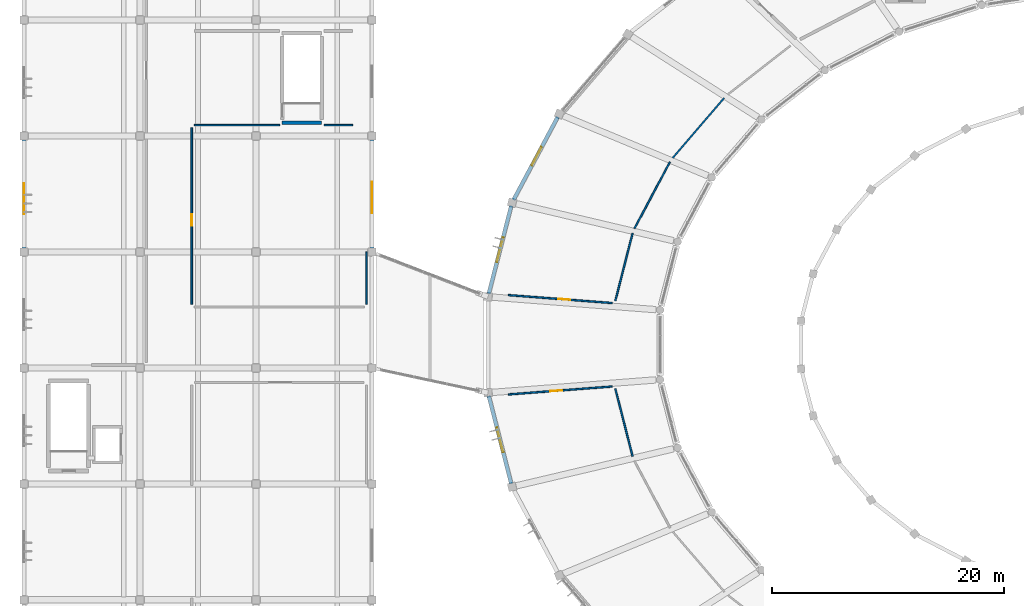
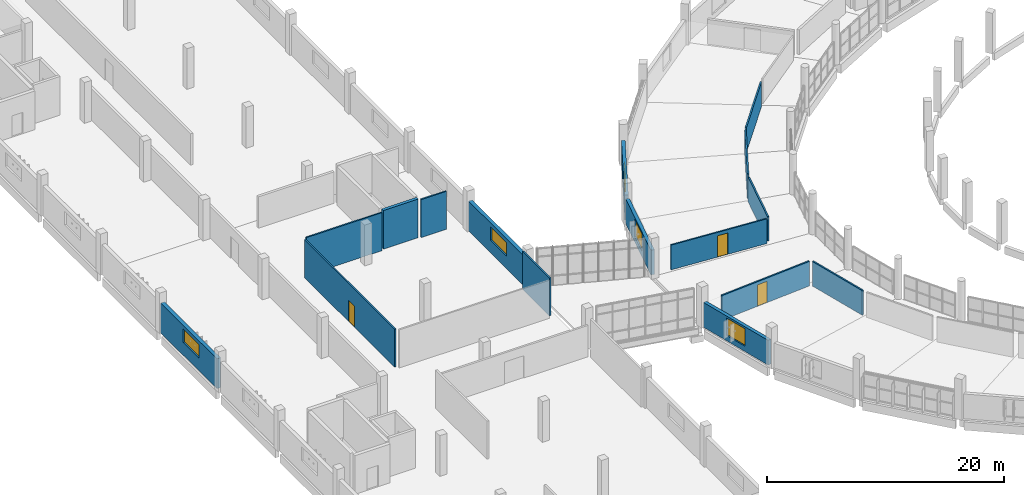
# One storey, part 96 of 142: 16 walls, 5 windows, 3 doors, 8 openings.
"""IFC4 building model written with IfcOpenShell, lengths in metres."""

from ifc_helpers import new_model, si_unit, direction, frame, frame_2d, origin, place, context, subcontext, project, spatial, rectangle, extrude, material, layer, layer_set, type_object, element, fill, save


model = new_model("IFC4")

# Units and contexts
model_context = context("Model", 3, precision=1e-05, world=origin(), true_north=direction((0.0, 1.0)))
body_context = subcontext(model_context, "Body", "Model", "MODEL_VIEW")
ifc_project = project(units=[si_unit("LENGTHUNIT", "METRE"), si_unit("AREAUNIT", "SQUARE_METRE"), si_unit("VOLUMEUNIT", "CUBIC_METRE"), si_unit("PLANEANGLEUNIT", "RADIAN"), si_unit("MASSUNIT", "GRAM", prefix="KILO")], contexts=[model_context])

# Site, building, storey
site_placement = place(None, origin())
site = spatial("IfcSite", under=ifc_project, at=site_placement, CompositionType="ELEMENT")
building_placement = place(site_placement, origin())
building = spatial("IfcBuilding", under=site, at=building_placement, Name="Corvandel Quay Wholesale Market", CompositionType="ELEMENT")
storey_placement = place(building_placement, frame((0.0, 0.0, 10.800048828125)))
storey = spatial("IfcBuildingStorey", under=building, at=storey_placement, Name="L02", CompositionType="ELEMENT", Elevation=10.800048828125)

# Walls
ifc_material_1 = material(Name="Double-layer acoustic gypsum stud partition")
ifc_layer_1 = layer(ifc_material_1, 0.139892578125)
ifc_layer_set_1 = layer_set([ifc_layer_1], Name="Double-layer acoustic gypsum stud partition")
wall_type_1 = type_object("IfcWallType", Name="Office Acoustic Partition PT07 140", PredefinedType="PARTITIONING", material=ifc_layer_set_1)
wall_1_placement = place(storey_placement, frame((80.36767578125, 63.28515625, 0.0), z_axis=(0.0, 0.0, 1.0), x_axis=(-0.651484810056, -0.758661678396, 0.0)))
element("IfcWall", 1, at=wall_1_placement, inside=storey, type_object=wall_type_1, Name="Interior Wall IW-0541", PredefinedType="PARTITIONING", context=body_context, shape_type="SweptSolid", body=[
    extrude(rectangle(XDim=6.81103515625, YDim=0.139892578125, at=frame_2d((3.405517578125, 0.0))), origin(), (0.0, 0.0, 1.0), 2.550048828125),
])
wall_2_placement = place(storey_placement, frame((75.68359375, 57.7568359375, 0.0), z_axis=(0.0, 0.0, 1.0), x_axis=(-0.470256627576, -0.882529718605, 0.0)))
element("IfcWall", 2, at=wall_2_placement, inside=storey, type_object=wall_type_1, Name="Interior Wall IW-0542", PredefinedType="PARTITIONING", context=body_context, shape_type="SweptSolid", body=[
    extrude(rectangle(XDim=6.496826171875, YDim=0.139892578125, at=frame_2d((3.24853515625, 0.0))), origin(), (0.0, 0.0, 1.0), 2.550048828125),
])
wall_3_placement = place(storey_placement, frame((72.470458984375, 51.615966796875, 0.0), z_axis=(0.0, 0.0, 1.0), x_axis=(-0.248247314143, -0.968696686802, 0.0)))
element("IfcWall", 3, at=wall_3_placement, inside=storey, type_object=wall_type_1, Name="Interior Wall IW-0543", PredefinedType="PARTITIONING", context=body_context, shape_type="SweptSolid", body=[
    extrude(rectangle(XDim=6.010009765625, YDim=0.139892578125, at=frame_2d((3.0048828125, 0.0))), origin(), (0.0, 0.0, 1.0), 2.550048828125),
])

# Wall, opening, door
wall_4_placement = place(storey_placement, frame((70.70458984375, 45.597900390625, 0.0), z_axis=(0.0, 0.0, 1.0), x_axis=(-0.997077168701, 0.076401044854, 0.0)))
wall_4 = element("IfcWall", 4, at=wall_4_placement, inside=storey, type_object=wall_type_1, Name="Interior Wall IW-0544", PredefinedType="PARTITIONING", context=body_context, shape_type="SweptSolid", body=[
    extrude(rectangle(XDim=8.972900390625, YDim=0.139892578125, at=frame_2d((4.486328125, 0.0))), origin(), (0.0, 0.0, 1.0), 2.550048828125),
])
opening_1_placement = place(wall_4_placement, frame((3.636962890625, 0.0, 0.0)))
opening_1 = element("IfcOpeningElement", 5, at=opening_1_placement, cuts=wall_4, Name="Opening L02-D033", PredefinedType="OPENING", context=body_context, shape_type="SweptSolid", body=[
    extrude(rectangle(XDim=1.0, YDim=2.199951171875, at=frame_2d((0.5, 1.10009765625))), frame((0.0, 0.079833984375, 0.0), z_axis=(0.0, -1.0, 0.0), x_axis=(1.0, 0.0, 0.0)), (0.0, 0.0, 1.0), 0.159912109375),
])
ifc_material_2 = material(Name="Stained oak solid-core acoustic timber", Category="wood")
door_type_1 = type_object("IfcDoorType", Name="Office Entry Door ID10 1000x2200R", OperationType="SINGLE_SWING_RIGHT", PredefinedType="DOOR", material=ifc_material_2)
door_1_placement = place(opening_1_placement, origin())
door_1 = element("IfcDoor", 6, at=door_1_placement, inside=storey, type_object=door_type_1, Name="Wholesale Produce Brokers Office West Door", OperationType="SINGLE_SWING_RIGHT", OverallHeight=2.199951171875, OverallWidth=1.0, PredefinedType="DOOR", context=body_context, shape_type="SweptSolid", body=[
    extrude(rectangle(XDim=1.0, YDim=2.199951171875, at=frame_2d((0.5, 1.10009765625))), frame((0.0, 0.02490234375, 0.0), z_axis=(0.0, -1.0, 0.0), x_axis=(1.0, 0.0, 0.0)), (0.0, 0.0, 1.0), 0.050048828125),
])
fill(opening_1, door_1)

wall_5_placement = place(storey_placement, frame((61.7578125, 37.716552734375, 0.0), z_axis=(0.0, 0.0, 1.0), x_axis=(0.997077168701, 0.076401044854, 0.0)))
wall_5 = element("IfcWall", 7, at=wall_5_placement, inside=storey, type_object=wall_type_1, Name="Interior Wall IW-0546", PredefinedType="PARTITIONING", context=body_context, shape_type="SweptSolid", body=[
    extrude(rectangle(XDim=8.972900390625, YDim=0.139892578125, at=frame_2d((4.486328125, 0.0))), origin(), (0.0, 0.0, 1.0), 2.550048828125),
])
opening_2_placement = place(wall_5_placement, frame((3.636962890625, 0.0, 0.0)))
opening_2 = element("IfcOpeningElement", 8, at=opening_2_placement, cuts=wall_5, Name="Opening L02-D034", PredefinedType="OPENING", context=body_context, shape_type="SweptSolid", body=[
    extrude(rectangle(XDim=1.0, YDim=2.199951171875, at=frame_2d((0.5, 1.10009765625))), frame((0.0, 0.079833984375, 0.0), z_axis=(0.0, -1.0, 0.0), x_axis=(1.0, 0.0, 0.0)), (0.0, 0.0, 1.0), 0.159912109375),
])
door_type_2 = type_object("IfcDoorType", Name="Office Entry Door ID09 1000x2200L", OperationType="SINGLE_SWING_LEFT", PredefinedType="DOOR", material=ifc_material_2)
door_2_placement = place(opening_2_placement, origin())
door_2 = element("IfcDoor", 9, at=door_2_placement, inside=storey, type_object=door_type_2, Name="Agricultural Freight Dispatch Office Door", OperationType="SINGLE_SWING_LEFT", OverallHeight=2.199951171875, OverallWidth=1.0, PredefinedType="DOOR", context=body_context, shape_type="SweptSolid", body=[
    extrude(rectangle(XDim=1.0, YDim=2.199951171875, at=frame_2d((0.5, 1.10009765625))), frame((0.0, 0.02490234375, 0.0), z_axis=(0.0, -1.0, 0.0), x_axis=(1.0, 0.0, 0.0)), (0.0, 0.0, 1.0), 0.050048828125),
])
fill(opening_2, door_2)

# Wall
wall_6_placement = place(storey_placement, frame((70.978515625, 38.205810546875, 0.0), z_axis=(0.0, 0.0, 1.0), x_axis=(0.248247314143, -0.968696686802, 0.0)))
element("IfcWall", 10, at=wall_6_placement, inside=storey, type_object=wall_type_1, Name="Interior Wall IW-0547", PredefinedType="PARTITIONING", context=body_context, shape_type="SweptSolid", body=[
    extrude(rectangle(XDim=6.010009765625, YDim=0.139892578125, at=frame_2d((3.0048828125, 0.0))), origin(), (0.0, 0.0, 1.0), 2.550048828125),
])

# Wall, opening, door
wall_7_placement = place(storey_placement, frame((34.4599609375, 45.47998046875, 0.0), z_axis=(0.0, 0.0, 1.0), x_axis=(0.0, 1.0, 0.0)))
wall_7 = element("IfcWall", 11, at=wall_7_placement, inside=storey, type_object=wall_type_1, Name="Interior Wall IW-0841", PredefinedType="PARTITIONING", context=body_context, shape_type="SweptSolid", body=[
    extrude(rectangle(XDim=15.239990234375, YDim=0.139892578125, at=frame_2d((7.6201171875, 0.0))), origin(), (0.0, 0.0, 1.0), 3.919921875),
])
opening_3_placement = place(wall_7_placement, frame((6.77001953125, 0.0, 0.0)))
opening_3 = element("IfcOpeningElement", 12, at=opening_3_placement, cuts=wall_7, Name="Opening L02-D046", PredefinedType="OPENING", context=body_context, shape_type="SweptSolid", body=[
    extrude(rectangle(XDim=1.0, YDim=2.199951171875, at=frame_2d((0.5, 1.10009765625))), frame((0.0, 0.079833984375, 0.0), z_axis=(0.0, -1.0, 0.0), x_axis=(1.0, 0.0, 0.0)), (0.0, 0.0, 1.0), 0.159912109375),
])
door_3_placement = place(opening_3_placement, origin())
door_3 = element("IfcDoor", 13, at=door_3_placement, inside=storey, type_object=door_type_2, Name="Dry Packaging Material Store Door", OperationType="SINGLE_SWING_LEFT", OverallHeight=2.199951171875, OverallWidth=1.0, PredefinedType="DOOR", context=body_context, shape_type="SweptSolid", body=[
    extrude(rectangle(XDim=1.0, YDim=2.199951171875, at=frame_2d((0.5, 1.10009765625))), frame((0.0, 0.02490234375, 0.0), z_axis=(0.0, -1.0, 0.0), x_axis=(1.0, 0.0, 0.0)), (0.0, 0.0, 1.0), 0.050048828125),
])
fill(opening_3, door_3)

# Walls
wall_8_placement = place(storey_placement, frame((34.679931640625, 60.93994140625, 0.0), z_axis=(0.0, 0.0, 1.0), x_axis=(1.0, 0.0, 0.0)))
element("IfcWall", 14, at=wall_8_placement, inside=storey, type_object=wall_type_1, Name="Interior Wall IW-0842", PredefinedType="PARTITIONING", context=body_context, shape_type="SweptSolid", body=[
    extrude(rectangle(XDim=7.35009765625, YDim=0.139892578125, at=frame_2d((3.675048828125, 0.0))), origin(), (0.0, 0.0, 1.0), 3.919921875),
])
wall_9_placement = place(storey_placement, frame((45.8701171875, 60.93994140625, 0.0), z_axis=(0.0, 0.0, 1.0), x_axis=(1.0, 0.0, 0.0)))
element("IfcWall", 15, at=wall_9_placement, inside=storey, type_object=wall_type_1, Name="Interior Wall IW-0843", PredefinedType="PARTITIONING", context=body_context, shape_type="SweptSolid", body=[
    extrude(rectangle(XDim=2.4599609375, YDim=0.139892578125, at=frame_2d((1.22998046875, 0.0))), origin(), (0.0, 0.0, 1.0), 3.919921875),
])
wall_10_placement = place(storey_placement, frame((49.5400390625, 50.02001953125, 0.0), z_axis=(0.0, 0.0, 1.0), x_axis=(0.0, -1.0, 0.0)))
element("IfcWall", 16, at=wall_10_placement, inside=storey, type_object=wall_type_1, Name="Interior Wall IW-0844", PredefinedType="PARTITIONING", context=body_context, shape_type="SweptSolid", body=[
    extrude(rectangle(XDim=4.5400390625, YDim=0.139892578125, at=frame_2d((2.27001953125, 0.0))), origin(), (0.0, 0.0, 1.0), 3.919921875),
])

# Wall, opening, window
ifc_material_3 = material(Name="Insulated precast concrete C45/55", Category="concrete")
ifc_layer_2 = layer(ifc_material_3, 0.360107421875)
ifc_layer_set_2 = layer_set([ifc_layer_2], Name="Insulated precast concrete C45/55")
wall_type_2 = type_object("IfcWallType", Name="Ripening Gas-Tight Envelope Wall EW04 360", PredefinedType="SOLIDWALL", material=ifc_layer_set_2)
wall_11_placement = place(storey_placement, frame((20.0, 50.239990234375, 0.0), z_axis=(0.0, 0.0, 1.0), x_axis=(0.0, 1.0, 0.0)))
wall_11 = element("IfcWall", 17, at=wall_11_placement, inside=storey, type_object=wall_type_2, Name="Exterior Wall EW-0249", PredefinedType="SOLIDWALL", context=body_context, shape_type="SweptSolid", body=[
    extrude(rectangle(XDim=9.52001953125, YDim=0.360107421875, at=frame_2d((4.760009765625, 0.0))), origin(), (0.0, 0.0, 1.0), 3.079833984375),
])
opening_4_placement = place(wall_11_placement, frame((3.0, 0.0, 1.300048828125)))
opening_4 = element("IfcOpeningElement", 18, at=opening_4_placement, cuts=wall_11, Name="Opening L02-W045", PredefinedType="OPENING", context=body_context, shape_type="SweptSolid", body=[
    extrude(rectangle(XDim=2.699951171875, YDim=1.39990234375, at=frame_2d((1.35009765625, 0.699951171875))), frame((0.0, 0.18994140625, 0.0), z_axis=(0.0, -1.0, 0.0), x_axis=(1.0, 0.0, 0.0)), (0.0, 0.0, 1.0), 0.380126953125),
])
ifc_material_4 = material(Name="Thermally broken bronze anodised aluminium and solar-control low-E double glazing", Category="aluminium")
window_type_1 = type_object("IfcWindowType", Name="Plant Louvred Clerestory Window WN16 2700x1400", PartitioningType="SINGLE_PANEL", PredefinedType="WINDOW", material=ifc_material_4)
window_1_placement = place(opening_4_placement, origin())
window_1 = element("IfcWindow", 19, at=window_1_placement, inside=storey, type_object=window_type_1, Name="Window L02-W045", OverallHeight=1.39990234375, OverallWidth=2.699951171875, PartitioningType="SINGLE_PANEL", PredefinedType="WINDOW", context=body_context, shape_type="SweptSolid", body=[
    extrude(rectangle(XDim=2.699951171875, YDim=1.39990234375, at=frame_2d((1.35009765625, 0.699951171875))), frame((0.0, 0.030029296875, 0.0), z_axis=(0.0, -1.0, 0.0), x_axis=(1.0, 0.0, 0.0)), (0.0, 0.0, 1.0), 0.06005859375),
])
fill(opening_4, window_1)

wall_12_placement = place(storey_placement, frame((50.0, 50.239990234375, 0.0), z_axis=(0.0, 0.0, 1.0), x_axis=(0.0, 1.0, 0.0)))
wall_12 = element("IfcWall", 20, at=wall_12_placement, inside=storey, type_object=wall_type_2, Name="Exterior Wall EW-0253", PredefinedType="SOLIDWALL", context=body_context, shape_type="SweptSolid", body=[
    extrude(rectangle(XDim=9.52001953125, YDim=0.360107421875, at=frame_2d((4.760009765625, 0.0))), origin(), (0.0, 0.0, 1.0), 3.079833984375),
])
opening_5_placement = place(wall_12_placement, frame((3.10009765625, 0.0, 1.300048828125)))
opening_5 = element("IfcOpeningElement", 21, at=opening_5_placement, cuts=wall_12, Name="Opening L02-W046", PredefinedType="OPENING", context=body_context, shape_type="SweptSolid", body=[
    extrude(rectangle(XDim=2.699951171875, YDim=1.39990234375, at=frame_2d((1.35009765625, 0.699951171875))), frame((0.0, 0.18994140625, 0.0), z_axis=(0.0, -1.0, 0.0), x_axis=(1.0, 0.0, 0.0)), (0.0, 0.0, 1.0), 0.380126953125),
])
window_2_placement = place(opening_5_placement, origin())
window_2 = element("IfcWindow", 22, at=window_2_placement, inside=storey, type_object=window_type_1, Name="Window L02-W046", OverallHeight=1.39990234375, OverallWidth=2.699951171875, PartitioningType="SINGLE_PANEL", PredefinedType="WINDOW", context=body_context, shape_type="SweptSolid", body=[
    extrude(rectangle(XDim=2.699951171875, YDim=1.39990234375, at=frame_2d((1.35009765625, 0.699951171875))), frame((0.0, 0.030029296875, 0.0), z_axis=(0.0, -1.0, 0.0), x_axis=(1.0, 0.0, 0.0)), (0.0, 0.0, 1.0), 0.06005859375),
])
fill(opening_5, window_2)

ifc_material_5 = material(Name="Buff-pigmented precast concrete C45/55", Category="concrete")
ifc_layer_3 = layer(ifc_material_5, 0.320068359375)
ifc_layer_set_3 = layer_set([ifc_layer_3], Name="Buff-pigmented precast concrete C45/55")
wall_type_3 = type_object("IfcWallType", Name="Sandstone Buff Precast Wall EW02 320", PredefinedType="SOLIDWALL", material=ifc_layer_set_3)
wall_13_placement = place(storey_placement, frame((66.01904296875, 61.65576171875, 0.0), z_axis=(0.0, 0.0, 1.0), x_axis=(-0.47010905891, -0.882608334841, 0.0)))
wall_13 = element("IfcWall", 23, at=wall_13_placement, inside=storey, type_object=wall_type_3, Name="Exterior Wall EW-0037", PredefinedType="SOLIDWALL", context=body_context, shape_type="SweptSolid", body=[
    extrude(rectangle(XDim=8.11962890625, YDim=0.320068359375, at=frame_2d((4.059814453125, 0.0))), origin(), (0.0, 0.0, 1.0), 2.550048828125),
])
opening_6_placement = place(wall_13_placement, frame((2.9599609375, 0.0, 0.550048828125)))
opening_6 = element("IfcOpeningElement", 24, at=opening_6_placement, cuts=wall_13, Name="Opening L02-W008", PredefinedType="OPENING", context=body_context, shape_type="SweptSolid", body=[
    extrude(rectangle(XDim=1.800048828125, YDim=1.800048828125, at=frame_2d((0.89990234375, 0.89990234375))), frame((0.0, 0.169921875, 0.0), z_axis=(0.0, -1.0, 0.0), x_axis=(1.0, 0.0, 0.0)), (0.0, 0.0, 1.0), 0.340087890625),
])
window_type_2 = type_object("IfcWindowType", Name="Brokers Corner Window WN04 1800x1800", PartitioningType="SINGLE_PANEL", PredefinedType="WINDOW", material=ifc_material_4)
window_3_placement = place(opening_6_placement, origin())
window_3 = element("IfcWindow", 25, at=window_3_placement, inside=storey, type_object=window_type_2, Name="Window L02-W008", OverallHeight=1.800048828125, OverallWidth=1.800048828125, PartitioningType="SINGLE_PANEL", PredefinedType="WINDOW", context=body_context, shape_type="SweptSolid", body=[
    extrude(rectangle(XDim=1.800048828125, YDim=1.800048828125, at=frame_2d((0.89990234375, 0.89990234375))), frame((0.0, 0.030029296875, 0.0), z_axis=(0.0, -1.0, 0.0), x_axis=(1.0, 0.0, 0.0)), (0.0, 0.0, 1.0), 0.06005859375),
])
fill(opening_6, window_3)

wall_14_placement = place(storey_placement, frame((62.008056640625, 53.989501953125, 0.0), z_axis=(0.0, 0.0, 1.0), x_axis=(-0.247752312481, -0.968823405818, 0.0)))
wall_14 = element("IfcWall", 26, at=wall_14_placement, inside=storey, type_object=wall_type_3, Name="Exterior Wall EW-0040", PredefinedType="SOLIDWALL", context=body_context, shape_type="SweptSolid", body=[
    extrude(rectangle(XDim=7.835205078125, YDim=0.320068359375, at=frame_2d((3.91748046875, 0.0))), origin(), (0.0, 0.0, 1.0), 2.550048828125),
])
opening_7_placement = place(wall_14_placement, frame((2.818115234375, 0.0, 0.550048828125)))
opening_7 = element("IfcOpeningElement", 27, at=opening_7_placement, cuts=wall_14, Name="Opening L02-W009", PredefinedType="OPENING", context=body_context, shape_type="SweptSolid", body=[
    extrude(rectangle(XDim=2.199951171875, YDim=1.800048828125, at=frame_2d((1.10009765625, 0.89990234375))), frame((0.0, 0.169921875, 0.0), z_axis=(0.0, -1.0, 0.0), x_axis=(1.0, 0.0, 0.0)), (0.0, 0.0, 1.0), 0.340087890625),
])
window_type_3 = type_object("IfcWindowType", Name="Brokers Office Window WN03 2200x1800", PartitioningType="SINGLE_PANEL", PredefinedType="WINDOW", material=ifc_material_4)
window_4_placement = place(opening_7_placement, origin())
window_4 = element("IfcWindow", 28, at=window_4_placement, inside=storey, type_object=window_type_3, Name="Window L02-W009", OverallHeight=1.800048828125, OverallWidth=2.199951171875, PartitioningType="SINGLE_PANEL", PredefinedType="WINDOW", context=body_context, shape_type="SweptSolid", body=[
    extrude(rectangle(XDim=2.199951171875, YDim=1.800048828125, at=frame_2d((1.10009765625, 0.89990234375))), frame((0.0, 0.030029296875, 0.0), z_axis=(0.0, -1.0, 0.0), x_axis=(1.0, 0.0, 0.0)), (0.0, 0.0, 1.0), 0.06005859375),
])
fill(opening_7, window_4)

wall_15_placement = place(storey_placement, frame((60.06689453125, 37.601318359375, 0.0), z_axis=(0.0, 0.0, 1.0), x_axis=(0.247752312481, -0.968823405818, 0.0)))
wall_15 = element("IfcWall", 29, at=wall_15_placement, inside=storey, type_object=wall_type_3, Name="Exterior Wall EW-0045", PredefinedType="SOLIDWALL", context=body_context, shape_type="SweptSolid", body=[
    extrude(rectangle(XDim=7.835205078125, YDim=0.320068359375, at=frame_2d((3.91748046875, 0.0))), origin(), (0.0, 0.0, 1.0), 2.550048828125),
])
opening_8_placement = place(wall_15_placement, frame((2.818115234375, 0.0, 0.550048828125)))
opening_8 = element("IfcOpeningElement", 30, at=opening_8_placement, cuts=wall_15, Name="Opening L02-W010", PredefinedType="OPENING", context=body_context, shape_type="SweptSolid", body=[
    extrude(rectangle(XDim=2.199951171875, YDim=1.800048828125, at=frame_2d((1.10009765625, 0.89990234375))), frame((0.0, 0.169921875, 0.0), z_axis=(0.0, -1.0, 0.0), x_axis=(1.0, 0.0, 0.0)), (0.0, 0.0, 1.0), 0.340087890625),
])
window_5_placement = place(opening_8_placement, origin())
window_5 = element("IfcWindow", 31, at=window_5_placement, inside=storey, type_object=window_type_3, Name="Window L02-W010", OverallHeight=1.800048828125, OverallWidth=2.199951171875, PartitioningType="SINGLE_PANEL", PredefinedType="WINDOW", context=body_context, shape_type="SweptSolid", body=[
    extrude(rectangle(XDim=2.199951171875, YDim=1.800048828125, at=frame_2d((1.10009765625, 0.89990234375))), frame((0.0, 0.030029296875, 0.0), z_axis=(0.0, -1.0, 0.0), x_axis=(1.0, 0.0, 0.0)), (0.0, 0.0, 1.0), 0.06005859375),
])
fill(opening_8, window_5)

# Wall
ifc_material_6 = material(Name="Concrete C40/50", Category="concrete")
ifc_layer_4 = layer(ifc_material_6, 0.300048828125)
ifc_layer_set_4 = layer_set([ifc_layer_4], Name="Concrete C40/50")
wall_type_4 = type_object("IfcWallType", Name="Stair Shaft Shear Wall SW02 300", PredefinedType="SHEAR", material=ifc_layer_set_4)
wall_16_placement = place(storey_placement, frame((42.25, 61.14990234375, 0.0), z_axis=(0.0, 0.0, 1.0), x_axis=(1.0, 0.0, 0.0)))
element("IfcWall", 32, at=wall_16_placement, inside=storey, type_object=wall_type_4, Name="Shear Wall IW-0141", PredefinedType="SHEAR", context=body_context, shape_type="SweptSolid", body=[
    extrude(rectangle(XDim=3.39990234375, YDim=0.300048828125, at=frame_2d((1.699951171875, 0.0))), origin(), (0.0, 0.0, 1.0), 3.97998046875),
])

save(model, "model.ifc")
